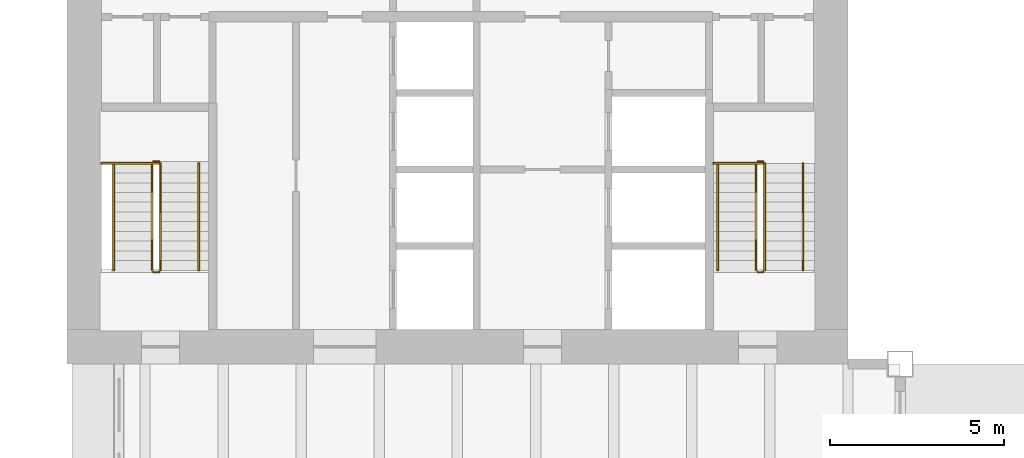
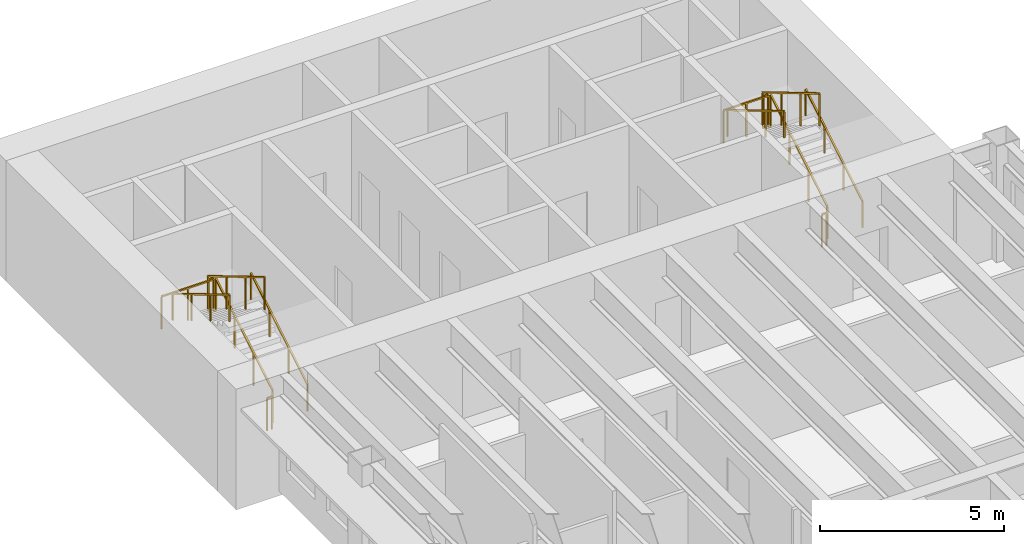
# One storey, part 16 of 16: 14 railings.
"""IFC4 building model written with IfcOpenShell, lengths in metres."""

from ifc_helpers import new_model, si_unit, direction, frame, origin, origin_2d, place, context, subcontext, project, spatial, rectangle, extrude, material, type_object, element, save


model = new_model("IFC4")

# Units and contexts
model_context = context("Model", 3, precision=1e-05, world=origin(), true_north=direction((0.0, 1.0)))
body_context = subcontext(model_context, "Body", "Model", "MODEL_VIEW")
ifc_project = project(units=[si_unit("LENGTHUNIT", "METRE"), si_unit("AREAUNIT", "SQUARE_METRE"), si_unit("VOLUMEUNIT", "CUBIC_METRE"), si_unit("PLANEANGLEUNIT", "RADIAN"), si_unit("MASSUNIT", "GRAM", prefix="KILO")], contexts=[model_context])

# Site, building, storey
site_placement = place(None, origin())
site = spatial("IfcSite", under=ifc_project, at=site_placement, CompositionType="ELEMENT")
building_placement = place(site_placement, origin())
building = spatial("IfcBuilding", under=site, at=building_placement, Name="Sennacour Bend Tower", CompositionType="ELEMENT")
storey_placement = place(building_placement, frame((0.0, 0.0, 223.0)))
storey = spatial("IfcBuildingStorey", under=building, at=storey_placement, Name="L51", CompositionType="ELEMENT", Elevation=223.0)

# Railings
ifc_material = material(Name="Stainless steel", Category="steel")
railing_type_1 = type_object("IfcRailingType", Name="RL-GUARD-1100", PredefinedType="GUARDRAIL", material=ifc_material)
railing_1_placement = place(storey_placement, frame((2.699951171875, 38.699951171875, 0.166748046875)))
element("IfcRailing", 1, at=railing_1_placement, inside=storey, type_object=railing_type_1, Name="L51 SB1 stair guard 1", PredefinedType="GUARDRAIL", context=body_context, shape_type="SweptSolid", body=[
    extrude(rectangle(XDim=0.048095703125, YDim=0.048095703125, at=origin_2d()), frame((0.0, 0.0, 1.076171875), z_axis=(0.0, 0.859308565015, 0.511457515432), x_axis=(-1.0, 0.0, 0.0)), (0.0, 0.0, 1.0), 3.58447265625),
    extrude(rectangle(XDim=0.0419921875, YDim=0.0419921875, at=origin_2d()), origin(), (0.0, 0.0, 1.0), 1.052001953125),
    extrude(rectangle(XDim=0.0419921875, YDim=0.0419921875, at=origin_2d()), frame((0.0, 1.026611328125, 0.611083984375)), (0.0, 0.0, 1.0), 1.052001953125),
    extrude(rectangle(XDim=0.0419921875, YDim=0.0419921875, at=origin_2d()), frame((0.0, 2.053466796875, 1.22216796875)), (0.0, 0.0, 1.0), 1.052001953125),
    extrude(rectangle(XDim=0.0419921875, YDim=0.0419921875, at=origin_2d()), frame((0.0, 3.080078125, 1.833251953125)), (0.0, 0.0, 1.0), 1.052001953125),
])
railing_2_placement = place(storey_placement, frame((2.64990234375, 41.830078125, 2.0)))
element("IfcRailing", 2, at=railing_2_placement, inside=storey, type_object=railing_type_1, Name="L51 SB1 stair guard 2", PredefinedType="GUARDRAIL", context=body_context, shape_type="SweptSolid", body=[
    extrude(rectangle(XDim=0.048095703125, YDim=0.048095703125, at=origin_2d()), frame((0.0, 0.0, 1.076171875), z_axis=(-1.0, 0.0, 0.0), x_axis=(0.0, -1.0, 0.0)), (0.0, 0.0, 1.0), 0.14990234375),
    extrude(rectangle(XDim=0.0419921875, YDim=0.0419921875, at=origin_2d()), origin(), (0.0, 0.0, 1.0), 1.052001953125),
    extrude(rectangle(XDim=0.0419921875, YDim=0.0419921875, at=origin_2d()), frame((-0.14990234375, 0.0, 0.0)), (0.0, 0.0, 1.0), 1.052001953125),
])
railing_3_placement = place(storey_placement, frame((2.449951171875, 41.780029296875, 2.166748046875)))
element("IfcRailing", 3, at=railing_3_placement, inside=storey, type_object=railing_type_1, Name="L51 SB1 stair guard 4", PredefinedType="GUARDRAIL", context=body_context, shape_type="SweptSolid", body=[
    extrude(rectangle(XDim=0.048095703125, YDim=0.048095703125, at=origin_2d()), frame((0.0, 0.0, 1.076171875), z_axis=(0.0, -0.859308565015, 0.511457515432), x_axis=(1.0, 0.0, 0.0)), (0.0, 0.0, 1.0), 3.58447265625),
    extrude(rectangle(XDim=0.0419921875, YDim=0.0419921875, at=origin_2d()), origin(), (0.0, 0.0, 1.0), 1.052001953125),
    extrude(rectangle(XDim=0.0419921875, YDim=0.0419921875, at=origin_2d()), frame((0.0, -1.026611328125, 0.611083984375)), (0.0, 0.0, 1.0), 1.052001953125),
    extrude(rectangle(XDim=0.0419921875, YDim=0.0419921875, at=origin_2d()), frame((0.0, -2.053466796875, 1.22216796875)), (0.0, 0.0, 1.0), 1.052001953125),
    extrude(rectangle(XDim=0.0419921875, YDim=0.0419921875, at=origin_2d()), frame((0.0, -3.080078125, 1.833251953125)), (0.0, 0.0, 1.0), 1.052001953125),
])
railing_4_placement = place(storey_placement, frame((2.64990234375, 38.64990234375, 0.0)))
element("IfcRailing", 4, at=railing_4_placement, inside=storey, type_object=railing_type_1, Name="L51 SB1 stair guard 5", PredefinedType="GUARDRAIL", context=body_context, shape_type="SweptSolid", body=[
    extrude(rectangle(XDim=0.048095703125, YDim=0.048095703125, at=origin_2d()), frame((0.0, 0.0, 1.076171875), z_axis=(-1.0, 0.0, 0.0), x_axis=(0.0, -1.0, 0.0)), (0.0, 0.0, 1.0), 0.14990234375),
    extrude(rectangle(XDim=0.0419921875, YDim=0.0419921875, at=origin_2d()), origin(), (0.0, 0.0, 1.0), 1.052001953125),
    extrude(rectangle(XDim=0.0419921875, YDim=0.0419921875, at=origin_2d()), frame((-0.14990234375, 0.0, 0.0)), (0.0, 0.0, 1.0), 1.052001953125),
])
railing_5_placement = place(storey_placement, frame((2.64990234375, 41.780029296875, 2.0)))
element("IfcRailing", 5, at=railing_5_placement, inside=storey, type_object=railing_type_1, Name="L51 SB1 landing edge guard 79", PredefinedType="GUARDRAIL", context=body_context, shape_type="SweptSolid", body=[
    extrude(rectangle(XDim=0.048095703125, YDim=0.048095703125, at=origin_2d()), frame((0.0, 0.0, 1.076171875), z_axis=(-1.0, 0.0, 0.0), x_axis=(0.0, -1.0, 0.0)), (0.0, 0.0, 1.0), 1.64990234375),
    extrude(rectangle(XDim=0.0419921875, YDim=0.0419921875, at=origin_2d()), origin(), (0.0, 0.0, 1.0), 1.052001953125),
    extrude(rectangle(XDim=0.0419921875, YDim=0.0419921875, at=origin_2d()), frame((-0.824951171875, 0.0, 0.0)), (0.0, 0.0, 1.0), 1.052001953125),
    extrude(rectangle(XDim=0.0419921875, YDim=0.0419921875, at=origin_2d()), frame((-1.64990234375, 0.0, 0.0)), (0.0, 0.0, 1.0), 1.052001953125),
])
railing_6_placement = place(storey_placement, frame((20.10009765625, 38.699951171875, 0.166748046875)))
element("IfcRailing", 6, at=railing_6_placement, inside=storey, type_object=railing_type_1, Name="L51 SB2 stair guard 1", PredefinedType="GUARDRAIL", context=body_context, shape_type="SweptSolid", body=[
    extrude(rectangle(XDim=0.048095703125, YDim=0.048095703125, at=origin_2d()), frame((0.0, 0.0, 1.076171875), z_axis=(0.0, 0.859308565015, 0.511457515432), x_axis=(-1.0, 0.0, 0.0)), (0.0, 0.0, 1.0), 3.58447265625),
    extrude(rectangle(XDim=0.0419921875, YDim=0.0419921875, at=origin_2d()), origin(), (0.0, 0.0, 1.0), 1.052001953125),
    extrude(rectangle(XDim=0.0419921875, YDim=0.0419921875, at=origin_2d()), frame((0.0, 1.026611328125, 0.611083984375)), (0.0, 0.0, 1.0), 1.052001953125),
    extrude(rectangle(XDim=0.0419921875, YDim=0.0419921875, at=origin_2d()), frame((0.0, 2.053466796875, 1.22216796875)), (0.0, 0.0, 1.0), 1.052001953125),
    extrude(rectangle(XDim=0.0419921875, YDim=0.0419921875, at=origin_2d()), frame((0.0, 3.080078125, 1.833251953125)), (0.0, 0.0, 1.0), 1.052001953125),
])
railing_7_placement = place(storey_placement, frame((20.050048828125, 41.830078125, 2.0)))
element("IfcRailing", 7, at=railing_7_placement, inside=storey, type_object=railing_type_1, Name="L51 SB2 stair guard 2", PredefinedType="GUARDRAIL", context=body_context, shape_type="SweptSolid", body=[
    extrude(rectangle(XDim=0.048095703125, YDim=0.048095703125, at=origin_2d()), frame((0.0, 0.0, 1.076171875), z_axis=(-1.0, 0.0, 0.0), x_axis=(0.0, -1.0, 0.0)), (0.0, 0.0, 1.0), 0.150146484375),
    extrude(rectangle(XDim=0.0419921875, YDim=0.0419921875, at=origin_2d()), origin(), (0.0, 0.0, 1.0), 1.052001953125),
    extrude(rectangle(XDim=0.0419921875, YDim=0.0419921875, at=origin_2d()), frame((-0.150146484375, 0.0, 0.0)), (0.0, 0.0, 1.0), 1.052001953125),
])
railing_8_placement = place(storey_placement, frame((19.85009765625, 41.780029296875, 2.166748046875)))
element("IfcRailing", 8, at=railing_8_placement, inside=storey, type_object=railing_type_1, Name="L51 SB2 stair guard 4", PredefinedType="GUARDRAIL", context=body_context, shape_type="SweptSolid", body=[
    extrude(rectangle(XDim=0.048095703125, YDim=0.048095703125, at=origin_2d()), frame((0.0, 0.0, 1.076171875), z_axis=(0.0, -0.859308565015, 0.511457515432), x_axis=(1.0, 0.0, 0.0)), (0.0, 0.0, 1.0), 3.58447265625),
    extrude(rectangle(XDim=0.0419921875, YDim=0.0419921875, at=origin_2d()), origin(), (0.0, 0.0, 1.0), 1.052001953125),
    extrude(rectangle(XDim=0.0419921875, YDim=0.0419921875, at=origin_2d()), frame((0.0, -1.026611328125, 0.611083984375)), (0.0, 0.0, 1.0), 1.052001953125),
    extrude(rectangle(XDim=0.0419921875, YDim=0.0419921875, at=origin_2d()), frame((0.0, -2.053466796875, 1.22216796875)), (0.0, 0.0, 1.0), 1.052001953125),
    extrude(rectangle(XDim=0.0419921875, YDim=0.0419921875, at=origin_2d()), frame((0.0, -3.080078125, 1.833251953125)), (0.0, 0.0, 1.0), 1.052001953125),
])
railing_9_placement = place(storey_placement, frame((20.050048828125, 38.64990234375, 0.0)))
element("IfcRailing", 9, at=railing_9_placement, inside=storey, type_object=railing_type_1, Name="L51 SB2 stair guard 5", PredefinedType="GUARDRAIL", context=body_context, shape_type="SweptSolid", body=[
    extrude(rectangle(XDim=0.048095703125, YDim=0.048095703125, at=origin_2d()), frame((0.0, 0.0, 1.076171875), z_axis=(-1.0, 0.0, 0.0), x_axis=(0.0, -1.0, 0.0)), (0.0, 0.0, 1.0), 0.150146484375),
    extrude(rectangle(XDim=0.0419921875, YDim=0.0419921875, at=origin_2d()), origin(), (0.0, 0.0, 1.0), 1.052001953125),
    extrude(rectangle(XDim=0.0419921875, YDim=0.0419921875, at=origin_2d()), frame((-0.150146484375, 0.0, 0.0)), (0.0, 0.0, 1.0), 1.052001953125),
])
railing_10_placement = place(storey_placement, frame((20.050048828125, 41.780029296875, 2.0)))
element("IfcRailing", 10, at=railing_10_placement, inside=storey, type_object=railing_type_1, Name="L51 SB2 landing edge guard 68", PredefinedType="GUARDRAIL", context=body_context, shape_type="SweptSolid", body=[
    extrude(rectangle(XDim=0.048095703125, YDim=0.048095703125, at=origin_2d()), frame((0.0, 0.0, 1.076171875), z_axis=(-1.0, 0.0, 0.0), x_axis=(0.0, -1.0, 0.0)), (0.0, 0.0, 1.0), 1.425048828125),
    extrude(rectangle(XDim=0.0419921875, YDim=0.0419921875, at=origin_2d()), origin(), (0.0, 0.0, 1.0), 1.052001953125),
    extrude(rectangle(XDim=0.0419921875, YDim=0.0419921875, at=origin_2d()), frame((-0.71240234375, 0.0, 0.0)), (0.0, 0.0, 1.0), 1.052001953125),
    extrude(rectangle(XDim=0.0419921875, YDim=0.0419921875, at=origin_2d()), frame((-1.425048828125, 0.0, 0.0)), (0.0, 0.0, 1.0), 1.052001953125),
])
railing_type_2 = type_object("IfcRailingType", Name="RL-HANDRAIL-900", PredefinedType="HANDRAIL", material=ifc_material)
railing_11_placement = place(storey_placement, frame((3.800048828125, 38.699951171875, 0.166748046875)))
element("IfcRailing", 11, at=railing_11_placement, inside=storey, type_object=railing_type_2, Name="L51 SB1 stair handrail 1", PredefinedType="HANDRAIL", context=body_context, shape_type="SweptSolid", body=[
    extrude(rectangle(XDim=0.048095703125, YDim=0.048095703125, at=origin_2d()), frame((0.0, 0.0, 0.8759765625), z_axis=(0.0, 0.859308565015, 0.511457515432), x_axis=(-1.0, 0.0, 0.0)), (0.0, 0.0, 1.0), 3.58447265625),
    extrude(rectangle(XDim=0.0419921875, YDim=0.0419921875, at=origin_2d()), origin(), (0.0, 0.0, 1.0), 0.851806640625),
    extrude(rectangle(XDim=0.0419921875, YDim=0.0419921875, at=origin_2d()), frame((0.0, 1.026611328125, 0.611083984375)), (0.0, 0.0, 1.0), 0.851806640625),
    extrude(rectangle(XDim=0.0419921875, YDim=0.0419921875, at=origin_2d()), frame((0.0, 2.053466796875, 1.22216796875)), (0.0, 0.0, 1.0), 0.851806640625),
    extrude(rectangle(XDim=0.0419921875, YDim=0.0419921875, at=origin_2d()), frame((0.0, 3.080078125, 1.833251953125)), (0.0, 0.0, 1.0), 0.851806640625),
])
railing_12_placement = place(storey_placement, frame((1.35009765625, 41.780029296875, 2.166748046875)))
element("IfcRailing", 12, at=railing_12_placement, inside=storey, type_object=railing_type_2, Name="L51 SB1 stair handrail 2", PredefinedType="HANDRAIL", context=body_context, shape_type="SweptSolid", body=[
    extrude(rectangle(XDim=0.048095703125, YDim=0.048095703125, at=origin_2d()), frame((0.0, 0.0, 0.8759765625), z_axis=(0.0, -0.859308565015, 0.511457515432), x_axis=(1.0, 0.0, 0.0)), (0.0, 0.0, 1.0), 3.58447265625),
    extrude(rectangle(XDim=0.0419921875, YDim=0.0419921875, at=origin_2d()), origin(), (0.0, 0.0, 1.0), 0.851806640625),
    extrude(rectangle(XDim=0.0419921875, YDim=0.0419921875, at=origin_2d()), frame((0.0, -1.026611328125, 0.611083984375)), (0.0, 0.0, 1.0), 0.851806640625),
    extrude(rectangle(XDim=0.0419921875, YDim=0.0419921875, at=origin_2d()), frame((0.0, -2.053466796875, 1.22216796875)), (0.0, 0.0, 1.0), 0.851806640625),
    extrude(rectangle(XDim=0.0419921875, YDim=0.0419921875, at=origin_2d()), frame((0.0, -3.080078125, 1.833251953125)), (0.0, 0.0, 1.0), 0.851806640625),
])
railing_13_placement = place(storey_placement, frame((21.199951171875, 38.699951171875, 0.166748046875)))
element("IfcRailing", 13, at=railing_13_placement, inside=storey, type_object=railing_type_2, Name="L51 SB2 stair handrail 1", PredefinedType="HANDRAIL", context=body_context, shape_type="SweptSolid", body=[
    extrude(rectangle(XDim=0.048095703125, YDim=0.048095703125, at=origin_2d()), frame((0.0, 0.0, 0.8759765625), z_axis=(0.0, 0.859308565015, 0.511457515432), x_axis=(-1.0, 0.0, 0.0)), (0.0, 0.0, 1.0), 3.58447265625),
    extrude(rectangle(XDim=0.0419921875, YDim=0.0419921875, at=origin_2d()), origin(), (0.0, 0.0, 1.0), 0.851806640625),
    extrude(rectangle(XDim=0.0419921875, YDim=0.0419921875, at=origin_2d()), frame((0.0, 1.026611328125, 0.611083984375)), (0.0, 0.0, 1.0), 0.851806640625),
    extrude(rectangle(XDim=0.0419921875, YDim=0.0419921875, at=origin_2d()), frame((0.0, 2.053466796875, 1.22216796875)), (0.0, 0.0, 1.0), 0.851806640625),
    extrude(rectangle(XDim=0.0419921875, YDim=0.0419921875, at=origin_2d()), frame((0.0, 3.080078125, 1.833251953125)), (0.0, 0.0, 1.0), 0.851806640625),
])
railing_14_placement = place(storey_placement, frame((18.75, 41.780029296875, 2.166748046875)))
element("IfcRailing", 14, at=railing_14_placement, inside=storey, type_object=railing_type_2, Name="L51 SB2 stair handrail 2", PredefinedType="HANDRAIL", context=body_context, shape_type="SweptSolid", body=[
    extrude(rectangle(XDim=0.048095703125, YDim=0.048095703125, at=origin_2d()), frame((0.0, 0.0, 0.8759765625), z_axis=(0.0, -0.859308565015, 0.511457515432), x_axis=(1.0, 0.0, 0.0)), (0.0, 0.0, 1.0), 3.58447265625),
    extrude(rectangle(XDim=0.0419921875, YDim=0.0419921875, at=origin_2d()), origin(), (0.0, 0.0, 1.0), 0.851806640625),
    extrude(rectangle(XDim=0.0419921875, YDim=0.0419921875, at=origin_2d()), frame((0.0, -1.026611328125, 0.611083984375)), (0.0, 0.0, 1.0), 0.851806640625),
    extrude(rectangle(XDim=0.0419921875, YDim=0.0419921875, at=origin_2d()), frame((0.0, -2.053466796875, 1.22216796875)), (0.0, 0.0, 1.0), 0.851806640625),
    extrude(rectangle(XDim=0.0419921875, YDim=0.0419921875, at=origin_2d()), frame((0.0, -3.080078125, 1.833251953125)), (0.0, 0.0, 1.0), 0.851806640625),
])

save(model, "model.ifc")
